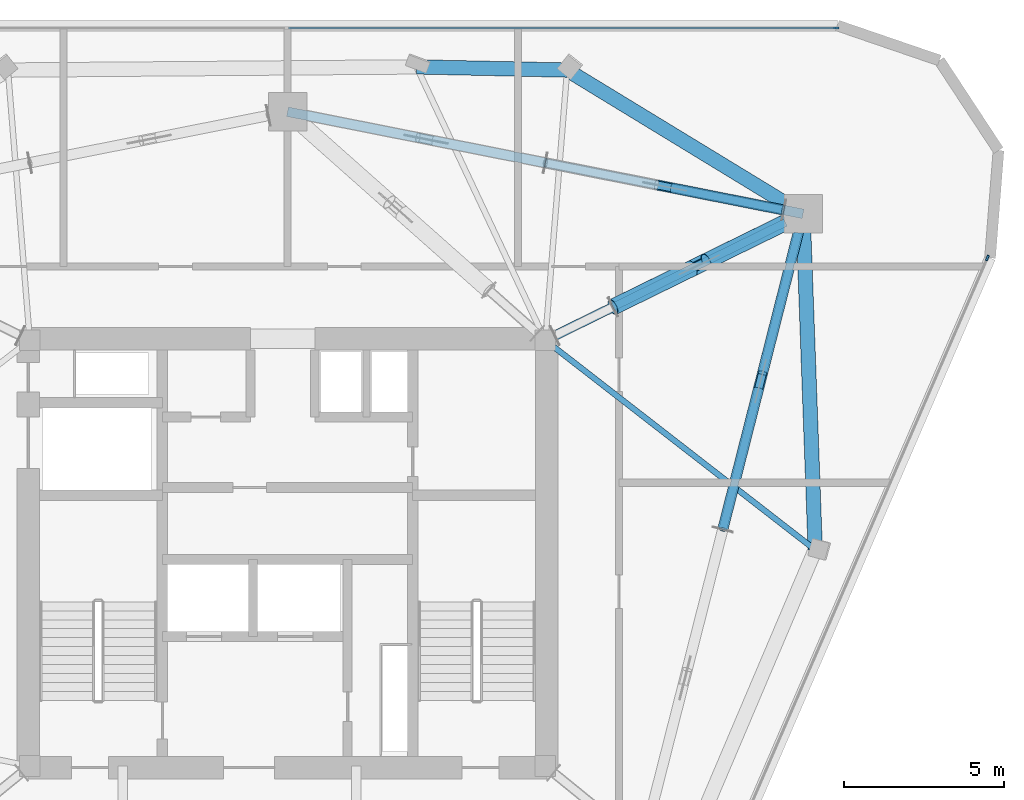
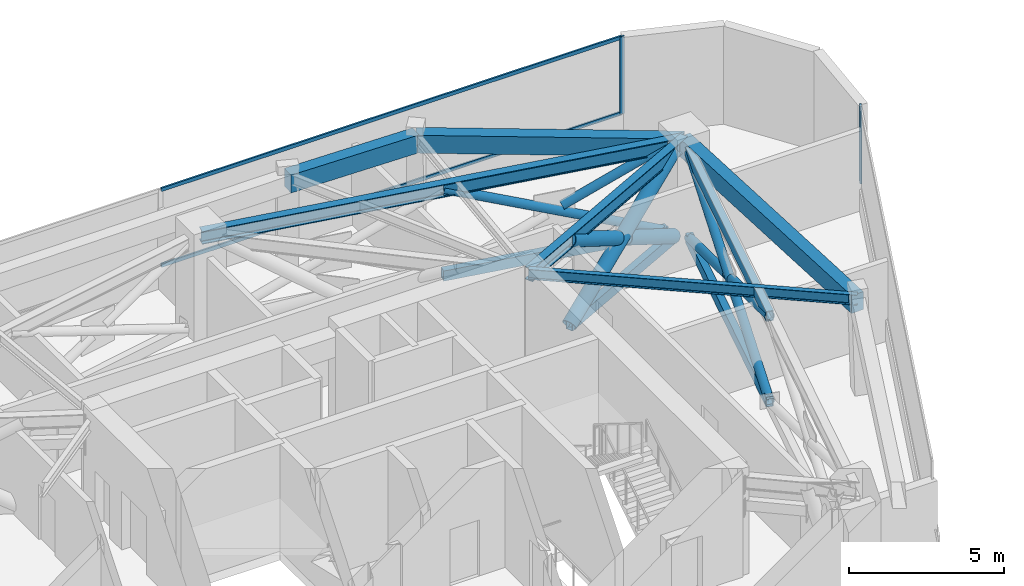
# One storey, part 5 of 10: 18 members, 6 beams, 2 elements without a shape of their own.
"""IFC4 building model written with IfcOpenShell, lengths in metres."""

import ifcopenshell
import ifcopenshell.guid

model = None  # the IFC model being written
_history = None  # IfcOwnerHistory: only IFC2X3 demands one
_inside = {}  # id of a spatial element -> (the spatial element, [elements in it])
_under = {}  # id of a project, library or spatial element -> (it, [spatial elements below it])
_declared = {}  # id of a project -> (the project, [libraries it declares])
_typed = {}  # id of a type object -> (the type object, [elements of that type])
_made_of = {}  # id of a material, layer set ... -> (it, [elements and type objects made of it])


def new_model(schema):
    """Start an empty IFC model of exactly this schema.

    Asked for "IFC4X3", IfcOpenShell would pick the latest addendum, in which some entities
    have other attributes; the version numbers below select the first issue.
    IFC2X3 requires an IfcOwnerHistory on every rooted entity: one is made here for all.
    """
    global model, _history
    if schema == "IFC4X3":
        model = ifcopenshell.file(schema_version=(4, 3, 0, 0))
    else:
        model = ifcopenshell.file(schema=schema)
    _inside.clear()
    _under.clear()
    _declared.clear()
    _typed.clear()
    _made_of.clear()
    _history = None
    if model.schema == "IFC2X3":
        org = make("IfcOrganization", Name="unknown")
        user = make(
            "IfcPersonAndOrganization",
            ThePerson=make("IfcPerson", FamilyName="unknown"),
            TheOrganization=org,
        )
        app = make(
            "IfcApplication",
            ApplicationDeveloper=org,
            Version="unknown",
            ApplicationFullName="unknown",
            ApplicationIdentifier="unknown",
        )
        _history = make(
            "IfcOwnerHistory",
            OwningUser=user,
            OwningApplication=app,
            ChangeAction="ADDED",
            CreationDate=0,
        )
    return model


def make(cls, **values):
    """One entity of the class cls with the attributes given. An attribute that is None is left unset."""
    return model.create_entity(
        cls, **{name: value for name, value in values.items() if value is not None}
    )


def rooted(cls, **values):
    """An entity with a GlobalId (a new one), such as an element, a storey or a relation."""
    return make(cls, GlobalId=ifcopenshell.guid.new(), OwnerHistory=_history, **values)


def si_unit(unit_type, name, prefix=None):
    """IfcSIUnit, for example si_unit("LENGTHUNIT", "METRE", prefix="MILLI")."""
    return make("IfcSIUnit", UnitType=unit_type, Prefix=prefix, Name=name)


def assignment(units):
    """IfcUnitAssignment: the units of a project."""
    return None if units is None else make("IfcUnitAssignment", Units=units)


def point(xyz):
    """IfcCartesianPoint."""
    return None if xyz is None else make("IfcCartesianPoint", Coordinates=xyz)


def direction(xyz):
    """IfcDirection."""
    return None if xyz is None else make("IfcDirection", DirectionRatios=xyz)


def frame(location, z_axis=None, x_axis=None):
    """IfcAxis2Placement3D, a coordinate frame: its origin and axes. An axis left out is left unset."""
    return make(
        "IfcAxis2Placement3D",
        Location=point(location),
        Axis=direction(z_axis),
        RefDirection=direction(x_axis),
    )


def frame_2d(location, x_axis=None):
    """IfcAxis2Placement2D, a coordinate frame in the plane: its origin and x axis."""
    return make(
        "IfcAxis2Placement2D", Location=point(location), RefDirection=direction(x_axis)
    )


def origin():
    """The frame at (0, 0, 0) with its axes left unset."""
    return frame((0.0, 0.0, 0.0))


def origin_2d():
    """The frame at (0, 0) in the plane with its x axis left unset."""
    return frame_2d((0.0, 0.0))


def place(relative_to, where):
    """IfcLocalPlacement: puts the frame where relative to a parent placement (None: the world)."""
    return make(
        "IfcLocalPlacement", PlacementRelTo=relative_to, RelativePlacement=where
    )


def context(
    kind, dimensions, precision=None, world=None, true_north=None, identifier=None
):
    """IfcGeometricRepresentationContext, for example the 3D "Model" context."""
    return make(
        "IfcGeometricRepresentationContext",
        ContextIdentifier=identifier,
        ContextType=kind,
        CoordinateSpaceDimension=dimensions,
        Precision=precision,
        WorldCoordinateSystem=world,
        TrueNorth=true_north,
    )


def subcontext(parent, identifier, kind, view, scale=None):
    """IfcGeometricRepresentationSubContext, for example "Body" below "Model"."""
    return make(
        "IfcGeometricRepresentationSubContext",
        ContextIdentifier=identifier,
        ContextType=kind,
        ParentContext=parent,
        TargetScale=scale,
        TargetView=view,
    )


def project(units=None, contexts=None):
    """IfcProject with its units and contexts."""
    return rooted(
        "IfcProject",
        Name="project",
        RepresentationContexts=contexts,
        UnitsInContext=assignment(units),
    )


def spatial(cls, under=None, at=None, **own):
    """A site, building, storey or space (cls), placed at a placement, below another one or the project."""
    s = rooted(cls, ObjectPlacement=at, **own)
    if under is not None:
        _under.setdefault(under.id(), (under, []))[1].append(s)
    return s


def profile(cls, at=None, kind="AREA", **sizes):
    """A parametric profile (cls). Its sizes go by their IFC names, for example OverallWidth=200.0."""
    return make(cls, ProfileType=kind, Position=at, **sizes)


def rectangle(**sizes):
    """IfcRectangleProfileDef."""
    return profile("IfcRectangleProfileDef", **sizes)


def hollow_rectangle(**sizes):
    """IfcRectangleHollowProfileDef."""
    return profile("IfcRectangleHollowProfileDef", **sizes)


def hollow_circle(**sizes):
    """IfcCircleHollowProfileDef."""
    return profile("IfcCircleHollowProfileDef", **sizes)


def i_section(**sizes):
    """IfcIShapeProfileDef."""
    return profile("IfcIShapeProfileDef", **sizes)


def extrude(swept, where, along, depth):
    """IfcExtrudedAreaSolid: the profile swept, set in the frame where, extruded along a direction by depth."""
    return make(
        "IfcExtrudedAreaSolid",
        SweptArea=swept,
        Position=where,
        ExtrudedDirection=direction(along),
        Depth=depth,
    )


def shape(context_of_items, identifier, shape_type, items):
    """IfcShapeRepresentation: the items that make up one representation, for example the "Body"."""
    return make(
        "IfcShapeRepresentation",
        ContextOfItems=context_of_items,
        RepresentationIdentifier=identifier,
        RepresentationType=shape_type,
        Items=items,
    )


def material(Name=None, Category=None):
    """IfcMaterial."""
    return make("IfcMaterial", Name=Name, Category=Category)


def layer(
    of_material, thickness, ventilated=None, Name=None, Category=None, Priority=None
):
    """IfcMaterialLayer: one layer of a wall or slab, of a material (None: an air gap)."""
    return make(
        "IfcMaterialLayer",
        Material=of_material,
        LayerThickness=thickness,
        IsVentilated=ventilated,
        Name=Name,
        Category=Category,
        Priority=Priority,
    )


def layer_set(layers, Name=None):
    """IfcMaterialLayerSet."""
    return make("IfcMaterialLayerSet", MaterialLayers=layers, LayerSetName=Name)


def material_profile(
    of_material, cross_section, Name=None, Category=None, Priority=None
):
    """IfcMaterialProfile: a cross section and its material."""
    return make(
        "IfcMaterialProfile",
        Name=Name,
        Material=of_material,
        Profile=cross_section,
        Priority=Priority,
        Category=Category,
    )


def profile_set(profiles, Name=None, composite=None):
    """IfcMaterialProfileSet."""
    return make(
        "IfcMaterialProfileSet",
        Name=Name,
        MaterialProfiles=profiles,
        CompositeProfile=composite,
    )


def made_of(thing, what):
    """Note that an element or type object is made of a material, layer set ...; save() writes the relation."""
    if what is not None:
        _made_of.setdefault(what.id(), (what, []))[1].append(thing)
    return thing


def type_object(cls, material=None, **own):
    """A type object (cls), such as IfcWallType, which elements share."""
    return made_of(rooted(cls, **own), material)


def element(
    cls,
    number,
    at=None,
    inside=None,
    cuts=None,
    type_object=None,
    material=None,
    context=None,
    identifier="Body",
    shape_type=None,
    held_by="IfcProductDefinitionShape",
    body=None,
    shapes=None,
    **own,
):
    """One element of the class cls, such as IfcWall. Its Tag is "e" and its number.

    at: its placement. inside: the storey or other place that contains it. cuts: it is an
    opening in that element (IfcRelVoidsElement). A single representation is given by context,
    identifier, shape_type and body (its items); several are given by shapes. held_by: the class
    of the entity that holds the representations. save() writes the other relations.
    """
    e = rooted(cls, Tag="e%d" % number, ObjectPlacement=at, **own)
    if body is not None:
        shapes = [shape(context, identifier, shape_type, body)]
    if shapes is not None:
        e.Representation = make(held_by, Representations=shapes)
    if inside is not None:
        _inside.setdefault(inside.id(), (inside, []))[1].append(e)
    if cuts is not None:
        rooted(
            "IfcRelVoidsElement", RelatingBuildingElement=cuts, RelatedOpeningElement=e
        )
    if type_object is not None:
        _typed.setdefault(type_object.id(), (type_object, []))[1].append(e)
    return made_of(e, material)


def aggregate(whole, parts):
    """IfcRelAggregates: a whole, such as a stair, and the parts it consists of."""
    return rooted("IfcRelAggregates", RelatingObject=whole, RelatedObjects=parts)


def save(model, path):
    """Write the relations noted so far, then the file.

    IfcRelAggregates (storeys below a building ...), IfcRelContainedInSpatialStructure (elements
    in a storey), IfcRelDefinesByType, IfcRelAssociatesMaterial and IfcRelDeclares: one each for
    every whole, place, type object, material and project.
    """
    for whole, parts in _under.values():
        aggregate(whole, parts)
    for where, things in _inside.values():
        rooted(
            "IfcRelContainedInSpatialStructure",
            RelatedElements=things,
            RelatingStructure=where,
        )
    for kind, things in _typed.values():
        rooted("IfcRelDefinesByType", RelatedObjects=things, RelatingType=kind)
    for what, things in _made_of.values():
        rooted("IfcRelAssociatesMaterial", RelatedObjects=things, RelatingMaterial=what)
    for by, libraries in _declared.values():
        rooted("IfcRelDeclares", RelatingContext=by, RelatedDefinitions=libraries)
    model.write(path)


model = new_model("IFC4")

# Units and contexts
model_context = context("Model", 3, precision=1e-05, world=origin(), true_north=direction((0.0, 1.0)))
body_context = subcontext(model_context, "Body", "Model", "MODEL_VIEW")
ifc_project = project(units=[si_unit("LENGTHUNIT", "METRE"), si_unit("AREAUNIT", "SQUARE_METRE"), si_unit("VOLUMEUNIT", "CUBIC_METRE"), si_unit("PLANEANGLEUNIT", "RADIAN"), si_unit("MASSUNIT", "GRAM", prefix="KILO")], contexts=[model_context])

# Site, building, storey
site_placement = place(None, origin())
site = spatial("IfcSite", under=ifc_project, at=site_placement, CompositionType="ELEMENT")
building_placement = place(site_placement, origin())
building = spatial("IfcBuilding", under=site, at=building_placement, Name="Talyreon Biosciences Tower", CompositionType="ELEMENT")
storey_placement = place(building_placement, frame((0.0, 0.0, 275.39990234375)))
storey = spatial("IfcBuildingStorey", under=building, at=storey_placement, Name="L73", CompositionType="ELEMENT", Elevation=275.39990234375)

# Members
ifc_material_1 = material(Name="Steel SM355", Category="steel")
ifc_material_profile_1 = material_profile(ifc_material_1, hollow_rectangle(XDim=0.25, YDim=0.39990234375, WallThickness=0.01611328125, at=origin_2d()), Name="RHS 400x250x16")
ifc_profile_set_1 = profile_set([ifc_material_profile_1], Name="Steel SM355")
member_type_1 = type_object("IfcMemberType", Name="BeltChord_RHS400x250", PredefinedType="CHORD", material=ifc_profile_set_1)
for number, where, z_axis, x_axis, name in (
    (1, (76.159912109375, 75.684814453125, 0.239990234375), (0.897870334783, 0.440259993545, 0.0), (-0.440259993545, 0.897870334783, 0.0), "L73 Truss Bottom Chord OUT-L73-R3"),
    (2, (76.159912109375, 75.684814453125, 3.60009765625), (0.897870334783, 0.440259993545, 0.0), (-0.440259993545, 0.897870334783, 0.0), "L73 Truss Top Chord OUT-L73-R3"),
):
    element("IfcMember", number, at=place(storey_placement, frame(where, z_axis=z_axis, x_axis=x_axis)), inside=storey, type_object=member_type_1, Name=name, PredefinedType="CHORD", context=body_context, shape_type="SweptSolid", body=[
        extrude(hollow_rectangle(XDim=0.25, YDim=0.39990234375, WallThickness=0.01611328125, at=origin_2d()), origin(), (0.0, 0.0, 1.0), 6.00830078125),
    ])
for number, where, z_axis, x_axis, name in (
    (3, (79.59423828125, 68.739501953125, 0.239990234375), (0.246534116519, 0.969134113213, 0.0), (-0.969134113213, 0.246534116519, 0.0), "L73 Truss Bottom Chord BELT-L73-B2S2"),
    (4, (79.59423828125, 68.739501953125, 3.60009765625), (0.246534116519, 0.969134113213, 0.0), (-0.969134113213, 0.246534116519, 0.0), "L73 Truss Top Chord BELT-L73-B2S2"),
):
    element("IfcMember", number, at=place(storey_placement, frame(where, z_axis=z_axis, x_axis=x_axis)), inside=storey, type_object=member_type_1, Name=name, PredefinedType="CHORD", context=body_context, shape_type="SweptSolid", body=[
        extrude(hollow_rectangle(XDim=0.25, YDim=0.39990234375, WallThickness=0.01611328125, at=origin_2d()), origin(), (0.0, 0.0, 1.0), 9.563232421875),
    ])
for number, where, z_axis, x_axis, name in (
    (5, (81.50390625, 78.71728515625, 0.239990234375), (-0.98093256056, 0.19434842843, 0.0), (-0.19434842843, -0.98093256056, 0.0), "L73 Truss Bottom Chord BELT-L73-B3S1"),
    (6, (81.50390625, 78.71728515625, 3.60009765625), (-0.98093256056, 0.19434842843, 0.0), (-0.19434842843, -0.98093256056, 0.0), "L73 Truss Top Chord BELT-L73-B3S1"),
):
    element("IfcMember", number, at=place(storey_placement, frame(where, z_axis=z_axis, x_axis=x_axis)), inside=storey, type_object=member_type_1, Name=name, PredefinedType="CHORD", context=body_context, shape_type="SweptSolid", body=[
        extrude(hollow_rectangle(XDim=0.25, YDim=0.39990234375, WallThickness=0.01611328125, at=origin_2d()), origin(), (0.0, 0.0, 1.0), 7.597412109375),
    ])

# Curtain wall, member
ifc_material_2 = material(Name="Thermally broken aluminium and low-E glazing", Category="aluminium")
ifc_layer = layer(ifc_material_2, 0.175048828125)
ifc_layer_set = layer_set([ifc_layer], Name="Thermally broken aluminium and low-E glazing")
curtain_wall_type = type_object("IfcCurtainWallType", Name="CurtainWall_Zone5CompLab", PredefinedType="NOTDEFINED", material=ifc_layer_set)
curtain_wall_1_placement = place(storey_placement, origin())
curtain_wall_1 = element("IfcCurtainWall", 7, at=curtain_wall_1_placement, inside=storey, type_object=curtain_wall_type, Name="L73 Unitised Curtain Wall FCW-L73-03", PredefinedType="NOTDEFINED")
ifc_material_3 = material(Name="Anodised thermally broken aluminium", Category="aluminium")
ifc_material_profile_2 = material_profile(ifc_material_3, rectangle(XDim=0.06494140625, YDim=0.179931640625, at=origin_2d()), Name="ALUM MULLION 65x180")
ifc_profile_set_2 = profile_set([ifc_material_profile_2], Name="Anodised thermally broken aluminium")
member_type_2 = type_object("IfcMemberType", Name="CWMullion_65x180", PredefinedType="MULLION", material=ifc_profile_set_2)
member_1_placement = place(storey_placement, frame((83.140625, 84.404052734375, 0.81005859375), z_axis=(0.0, 0.0, 1.0), x_axis=(0.0, 1.0, 0.0)))
member_1 = element("IfcMember", 8, at=member_1_placement, type_object=member_type_2, Name="CW6 mullion 3", PredefinedType="MULLION", context=body_context, shape_type="SweptSolid", body=[
    extrude(rectangle(XDim=0.06494140625, YDim=0.179931640625, at=origin_2d()), origin(), (0.0, 0.0, 1.0), 3.0400390625),
])

curtain_wall_2_placement = place(storey_placement, origin())
curtain_wall_2 = element("IfcCurtainWall", 9, at=curtain_wall_2_placement, inside=storey, type_object=curtain_wall_type, Name="L73 Unitised Curtain Wall FCW-L73-07", PredefinedType="NOTDEFINED")
member_2_placement = place(storey_placement, frame((87.859619140625, 77.22216796875, 0.81005859375), z_axis=(0.0, 0.0, 1.0), x_axis=(0.917866750058, -0.39688868608, 0.0)))
member_2 = element("IfcMember", 10, at=member_2_placement, type_object=member_type_2, Name="CW6 mullion 1", PredefinedType="MULLION", context=body_context, shape_type="SweptSolid", body=[
    extrude(rectangle(XDim=0.06494140625, YDim=0.179931640625, at=origin_2d()), origin(), (0.0, 0.0, 1.0), 3.0400390625),
])
aggregate(curtain_wall_2, [member_2])

# Member
ifc_material_profile_3 = material_profile(ifc_material_3, rectangle(XDim=0.06494140625, YDim=0.139892578125, at=origin_2d()), Name="ALUM TRANSOM 65x140")
ifc_profile_set_3 = profile_set([ifc_material_profile_3], Name="Anodised thermally broken aluminium")
member_type_3 = type_object("IfcMemberType", Name="CWTransom_65x140", PredefinedType="USERDEFINED", material=ifc_profile_set_3)
member_3_placement = place(storey_placement, frame((66.032470703125, 84.404052734375, 0.842529296875), z_axis=(1.0, 0.0, 0.0), x_axis=(0.0, 1.0, 0.0)))
member_3 = element("IfcMember", 11, at=member_3_placement, type_object=member_type_3, Name="CW6 transom 2.1", ObjectType="TRANSOM", PredefinedType="USERDEFINED", context=body_context, shape_type="SweptSolid", body=[
    extrude(rectangle(XDim=0.06494140625, YDim=0.139892578125, at=origin_2d()), origin(), (0.0, 0.0, 1.0), 17.07568359375),
])

member_4_placement = place(storey_placement, frame((66.032470703125, 84.404052734375, 3.817626953125), z_axis=(1.0, 0.0, 0.0), x_axis=(0.0, 1.0, 0.0)))
member_4 = element("IfcMember", 12, at=member_4_placement, type_object=member_type_3, Name="CW6 transom 2.2", ObjectType="TRANSOM", PredefinedType="USERDEFINED", context=body_context, shape_type="SweptSolid", body=[
    extrude(rectangle(XDim=0.06494140625, YDim=0.139892578125, at=origin_2d()), origin(), (0.0, 0.0, 1.0), 17.07568359375),
])

aggregate(curtain_wall_1, [member_1, member_3, member_4])

# Beams
ifc_material_4 = material(Name="Precast concrete C45/55", Category="concrete")
ifc_material_profile_4 = material_profile(ifc_material_4, rectangle(XDim=0.449951171875, YDim=0.699951171875, at=origin_2d()), Name="RCB 450x700")
ifc_profile_set_4 = profile_set([ifc_material_profile_4], Name="Precast concrete C45/55")
beam_type_1 = type_object("IfcBeamType", Name="ExpressedSpandrel_450x700", PredefinedType="SPANDREL", material=ifc_profile_set_4)
beam_1_placement = place(storey_placement, frame((82.48291015625, 68.10400390625, 3.5), z_axis=(-0.036243793387, 0.999342977881, 0.0), x_axis=(-0.999342977881, -0.036243793387, 0.0)))
element("IfcBeam", 13, at=beam_1_placement, inside=storey, type_object=beam_type_1, Name="L73 Expressed Horizontal Concrete Spandrel 04", PredefinedType="SPANDREL", context=body_context, shape_type="SweptSolid", body=[
    extrude(rectangle(XDim=0.449951171875, YDim=0.699951171875, at=origin_2d()), origin(), (0.0, 0.0, 1.0), 10.50146484375),
])
beam_2_placement = place(storey_placement, frame((82.102294921875, 78.5986328125, 3.5), z_axis=(-0.853897379742, 0.520441413484, 0.0), x_axis=(-0.520441413484, -0.853897379742, 0.0)))
element("IfcBeam", 14, at=beam_2_placement, inside=storey, type_object=beam_type_1, Name="L73 Expressed Horizontal Concrete Spandrel 05", PredefinedType="SPANDREL", context=body_context, shape_type="SweptSolid", body=[
    extrude(rectangle(XDim=0.449951171875, YDim=0.699951171875, at=origin_2d()), origin(), (0.0, 0.0, 1.0), 8.629150390625),
])
beam_3_placement = place(storey_placement, frame((74.73388671875, 83.089599609375, 3.5), z_axis=(-0.999774668472, 0.021227630141, 0.0), x_axis=(-0.021227630141, -0.999774668472, 0.0)))
element("IfcBeam", 15, at=beam_3_placement, inside=storey, type_object=beam_type_1, Name="L73 Expressed Horizontal Concrete Spandrel 06", PredefinedType="SPANDREL", context=body_context, shape_type="SweptSolid", body=[
    extrude(rectangle(XDim=0.449951171875, YDim=0.699951171875, at=origin_2d()), origin(), (0.0, 0.0, 1.0), 4.703857421875),
])

# Members
ifc_material_profile_5 = material_profile(ifc_material_1, hollow_circle(Radius=0.25390625, WallThickness=0.02001953125, at=origin_2d()), Name="CHS 508x20")
ifc_profile_set_5 = profile_set([ifc_material_profile_5], Name="Steel SM355")
member_type_4 = type_object("IfcMemberType", Name="OutriggerBrace_CHS508", PredefinedType="BRACE", material=ifc_profile_set_5)
member_5_placement = place(storey_placement, frame((76.159912109375, 75.684814453125, 0.239990234375), z_axis=(0.783653104267, 0.384254938893, 0.488094206183), x_axis=(-0.440259993545, 0.897870334783, 0.0)))
element("IfcMember", 16, at=member_5_placement, inside=storey, type_object=member_type_4, Name="L73 Continuous Diagonal OUT-L73-R3A", PredefinedType="BRACE", context=body_context, shape_type="SweptSolid", body=[
    extrude(hollow_circle(Radius=0.25390625, WallThickness=0.02001953125, at=origin_2d()), origin(), (0.0, 0.0, 1.0), 6.884033203125),
])
for number, where, z_axis, x_axis, name in (
    (17, (81.5546875, 78.330078125, 0.239990234375), (-0.783647785422, -0.384257638231, 0.488100620634), (0.440264895819, -0.897867930995, 0.0), "L73 Split Diagonal OUT-L73-R3B-Lower"),
    (18, (78.637939453125, 76.89990234375, 2.056884765625), (-0.783677316231, -0.38427211851, 0.488041804522), (0.440264895819, -0.897867930995, 0.0), "L73 Split Diagonal OUT-L73-R3B-Upper"),
):
    element("IfcMember", number, at=place(storey_placement, frame(where, z_axis=z_axis, x_axis=x_axis)), inside=storey, type_object=member_type_4, Name=name, PredefinedType="BRACE", context=body_context, shape_type="SweptSolid", body=[
        extrude(hollow_circle(Radius=0.25390625, WallThickness=0.02001953125, at=origin_2d()), origin(), (0.0, 0.0, 1.0), 3.162109375),
    ])
ifc_material_profile_6 = material_profile(ifc_material_1, hollow_circle(Radius=0.161865234375, WallThickness=0.012451171875, at=origin_2d()), Name="CHS 323.9x12.5")
ifc_profile_set_6 = profile_set([ifc_material_profile_6], Name="Steel SM355")
member_type_5 = type_object("IfcMemberType", Name="PortalBrace_CHS324", PredefinedType="BRACE", material=ifc_profile_set_6)
member_6_placement = place(storey_placement, frame((79.59423828125, 68.739501953125, 0.239990234375), z_axis=(0.232594742555, 0.914337953491, 0.3314902601), x_axis=(-0.969134113213, 0.246534116519, 0.0)))
element("IfcMember", 19, at=member_6_placement, inside=storey, type_object=member_type_5, Name="L73 Continuous Diagonal BELT-L73-B2S2A", PredefinedType="BRACE", context=body_context, shape_type="SweptSolid", body=[
    extrude(hollow_circle(Radius=0.161865234375, WallThickness=0.012451171875, at=origin_2d()), origin(), (0.0, 0.0, 1.0), 10.136474609375),
])
member_7_placement = place(storey_placement, frame((81.951904296875, 78.007568359375, 0.239990234375), z_axis=(-0.23254940261, -0.91434081057, 0.331514188944), x_axis=(0.969145778328, -0.246488256006, 0.0)))
element("IfcMember", 20, at=member_7_placement, inside=storey, type_object=member_type_5, Name="L73 Split Diagonal BELT-L73-B2S2B-Lower", PredefinedType="BRACE", context=body_context, shape_type="SweptSolid", body=[
    extrude(hollow_circle(Radius=0.161865234375, WallThickness=0.012451171875, at=origin_2d()), origin(), (0.0, 0.0, 1.0), 4.788330078125),
])
member_8_placement = place(storey_placement, frame((80.7080078125, 73.117431640625, 2.012939453125), z_axis=(-0.232612406405, -0.914337060864, 0.331480327497), x_axis=(0.969129582309, -0.246551926974, 0.0)))
element("IfcMember", 21, at=member_8_placement, inside=storey, type_object=member_type_5, Name="L73 Split Diagonal BELT-L73-B2S2B-Upper", PredefinedType="BRACE", context=body_context, shape_type="SweptSolid", body=[
    extrude(hollow_circle(Radius=0.161865234375, WallThickness=0.012451171875, at=origin_2d()), origin(), (0.0, 0.0, 1.0), 4.7880859375),
])
member_9_placement = place(storey_placement, frame((81.50390625, 78.71728515625, 0.239990234375), z_axis=(-0.897111729748, 0.177741326787, 0.40447319454), x_axis=(-0.19434842843, -0.98093256056, 0.0)))
element("IfcMember", 22, at=member_9_placement, inside=storey, type_object=member_type_5, Name="L73 Continuous Diagonal BELT-L73-B3S1A", PredefinedType="BRACE", context=body_context, shape_type="SweptSolid", body=[
    extrude(hollow_circle(Radius=0.161865234375, WallThickness=0.012451171875, at=origin_2d()), origin(), (0.0, 0.0, 1.0), 8.307373046875),
])
member_10_placement = place(storey_placement, frame((78.02880859375, 79.40576171875, 2.033203125), z_axis=(0.897103033842, -0.177731527008, 0.404496787354), x_axis=(0.194339930356, 0.980934244213, 0.0)))
element("IfcMember", 23, at=member_10_placement, inside=storey, type_object=member_type_5, Name="L73 Split Diagonal BELT-L73-B3S1B-Upper", PredefinedType="BRACE", context=body_context, shape_type="SweptSolid", body=[
    extrude(hollow_circle(Radius=0.161865234375, WallThickness=0.012451171875, at=origin_2d()), origin(), (0.0, 0.0, 1.0), 3.873779296875),
])

# Beams
ifc_material_profile_7 = material_profile(ifc_material_1, i_section(OverallWidth=0.300048828125, OverallDepth=0.5, WebThickness=0.014404296875, FlangeThickness=0.028076171875, FilletRadius=0.027099609375, at=origin_2d()), Name="HE500B")
ifc_profile_set_7 = profile_set([ifc_material_profile_7], Name="Steel SM355")
beam_type_2 = type_object("IfcBeamType", Name="SteelBeam_HE500B", PredefinedType="BEAM", material=ifc_profile_set_7)
beam_4_placement = place(storey_placement, frame((82.102294921875, 78.5986328125, 3.60009765625), z_axis=(-0.980933730698, 0.194342522311, 0.0), x_axis=(-0.194342522311, -0.980933730698, 0.0)))
element("IfcBeam", 24, at=beam_4_placement, inside=storey, type_object=beam_type_2, Name="L73 Mega-Ring Girder 3", PredefinedType="BEAM", context=body_context, shape_type="SweptSolid", body=[
    extrude(i_section(OverallWidth=0.300048828125, OverallDepth=0.5, WebThickness=0.014404296875, FlangeThickness=0.028076171875, FilletRadius=0.027099609375, at=origin_2d()), origin(), (0.0, 0.0, 1.0), 16.415283203125),
])
beam_5_placement = place(storey_placement, frame((74.050048828125, 74.64990234375, 3.60009765625), z_axis=(0.897852360314, 0.440296648952, 0.0), x_axis=(-0.440296648952, 0.897852360314, 0.0)))
element("IfcBeam", 25, at=beam_5_placement, inside=storey, type_object=beam_type_2, Name="L73 Radial Primary Girder 3", PredefinedType="BEAM", context=body_context, shape_type="SweptSolid", body=[
    extrude(i_section(OverallWidth=0.300048828125, OverallDepth=0.5, WebThickness=0.014404296875, FlangeThickness=0.028076171875, FilletRadius=0.027099609375, at=origin_2d()), origin(), (0.0, 0.0, 1.0), 8.96826171875),
])
ifc_material_profile_8 = material_profile(ifc_material_1, i_section(OverallWidth=0.179931640625, OverallDepth=0.39990234375, WebThickness=0.008544921875, FlangeThickness=0.013427734375, FilletRadius=0.02099609375, at=origin_2d()), Name="IPE400")
ifc_profile_set_8 = profile_set([ifc_material_profile_8], Name="Steel SM355")
beam_type_3 = type_object("IfcBeamType", Name="SteelJoist_IPE400", PredefinedType="JOIST", material=ifc_profile_set_8)
beam_6_placement = place(storey_placement, frame((74.050048828125, 74.64990234375, 3.650146484375), z_axis=(0.789941714948, -0.613181936284, 0.0), x_axis=(0.613181936284, 0.789941714948, 0.0)))
element("IfcBeam", 26, at=beam_6_placement, inside=storey, type_object=beam_type_3, Name="L73 Radial Composite Floor Joist PC-SE2", PredefinedType="JOIST", context=body_context, shape_type="SweptSolid", body=[
    extrude(i_section(OverallWidth=0.179931640625, OverallDepth=0.39990234375, WebThickness=0.008544921875, FlangeThickness=0.013427734375, FilletRadius=0.02099609375, at=origin_2d()), origin(), (0.0, 0.0, 1.0), 10.67529296875),
])

save(model, "model.ifc")
